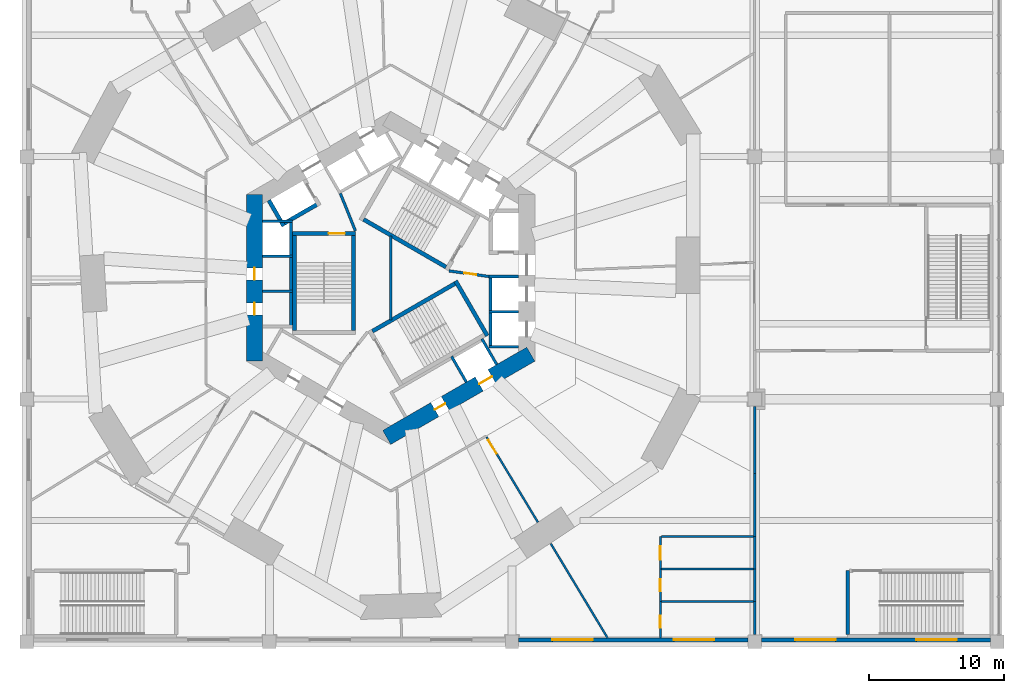
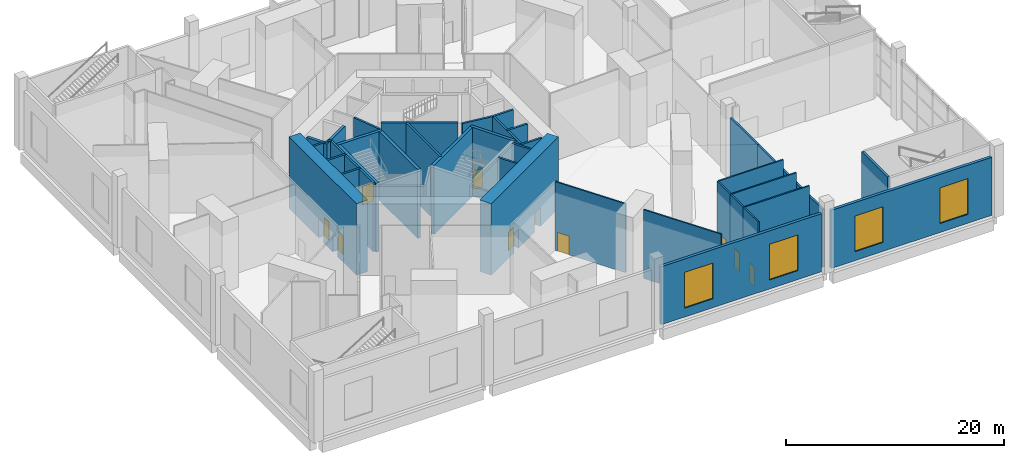
# One storey, part 7 of 15: 39 walls, 10 doors, 4 windows, 14 openings.
"""IFC4 building model written with IfcOpenShell, lengths in metres."""

from ifc_helpers import new_model, si_unit, direction, frame, frame_2d, origin, place, context, subcontext, project, spatial, rectangle, extrude, material, layer, layer_set, type_object, element, fill, save


model = new_model("IFC4")

# Units and contexts
model_context = context("Model", 3, precision=1e-05, world=origin(), true_north=direction((0.0, 1.0)))
body_context = subcontext(model_context, "Body", "Model", "MODEL_VIEW")
ifc_project = project(units=[si_unit("LENGTHUNIT", "METRE"), si_unit("AREAUNIT", "SQUARE_METRE"), si_unit("VOLUMEUNIT", "CUBIC_METRE"), si_unit("PLANEANGLEUNIT", "RADIAN"), si_unit("MASSUNIT", "GRAM", prefix="KILO")], contexts=[model_context])

# Site, building, storey
site_placement = place(None, origin())
site = spatial("IfcSite", under=ifc_project, at=site_placement, CompositionType="ELEMENT")
building_placement = place(site_placement, origin())
building = spatial("IfcBuilding", under=site, at=building_placement, Name="Vanh Sen Convention Tower", CompositionType="ELEMENT")
storey_placement = place(building_placement, frame((0.0, 0.0, 21.0)))
storey = spatial("IfcBuildingStorey", under=building, at=storey_placement, Name="L03", CompositionType="ELEMENT", Elevation=21.0)

# Wall
ifc_material_1 = material(Name="Concrete C40/50", Category="concrete")
ifc_layer_1 = layer(ifc_material_1, 0.25)
ifc_layer_set_1 = layer_set([ifc_layer_1], Name="Concrete C40/50")
wall_type_1 = type_object("IfcWallType", Name="Concrete wall 250 REI 180", PredefinedType="SOLIDWALL", material=ifc_layer_set_1)
wall_1_placement = place(storey_placement, frame((33.89990234375, -26.43994140625, 0.0), z_axis=(0.0, 0.0, 1.0), x_axis=(0.0, 1.0, 0.0)))
element("IfcWall", 1, at=wall_1_placement, inside=storey, type_object=wall_type_1, Name="Fire-resisting wall L03-004", PredefinedType="SOLIDWALL", context=body_context, shape_type="SweptSolid", body=[
    extrude(rectangle(XDim=4.71484375, YDim=0.25, at=frame_2d((2.357421875, 0.0))), origin(), (0.0, 0.0, 1.0), 7.699951171875),
])

# Wall, openings, doors
ifc_material_2 = material(Name="Concrete C80/95", Category="concrete")
ifc_layer_2 = layer(ifc_material_2, 1.199951171875)
ifc_layer_set_2 = layer_set([ifc_layer_2], Name="Concrete C80/95")
wall_type_2 = type_object("IfcWallType", Name="Core outer wall 1200 C80/95", PredefinedType="SHEAR", material=ifc_layer_set_2)
wall_2_placement = place(storey_placement, frame((-10.10009765625, 6.177490234375, 0.0), z_axis=(0.0, 0.0, 1.0), x_axis=(0.0, -1.0, 0.0)))
wall_2 = element("IfcWall", 2, at=wall_2_placement, inside=storey, type_object=wall_type_2, Name="Core wall face W L03", PredefinedType="SHEAR", context=body_context, shape_type="SweptSolid", body=[
    extrude(rectangle(XDim=12.35498046875, YDim=1.199951171875, at=frame_2d((6.177490234375, 0.0))), origin(), (0.0, 0.0, 1.0), 8.0),
])
opening_1_placement = place(wall_2_placement, frame((5.427490234375, 0.0, 0.0)))
opening_1 = element("IfcOpeningElement", 3, at=opening_1_placement, cuts=wall_2, Name="Opening D03009", PredefinedType="OPENING", context=body_context, shape_type="SweptSolid", body=[
    extrude(rectangle(XDim=0.89990234375, YDim=2.10009765625, at=frame_2d((0.449951171875, 1.050048828125))), frame((0.0, 0.60986328125, 0.0), z_axis=(0.0, -1.0, 0.0), x_axis=(1.0, 0.0, 0.0)), (0.0, 0.0, 1.0), 1.219970703125),
])
opening_2_placement = place(wall_2_placement, frame((8.027587890625, 0.0, 0.0)))
opening_2 = element("IfcOpeningElement", 4, at=opening_2_placement, cuts=wall_2, Name="Opening D03010", PredefinedType="OPENING", context=body_context, shape_type="SweptSolid", body=[
    extrude(rectangle(XDim=0.89990234375, YDim=2.10009765625, at=frame_2d((0.449951171875, 1.050048828125))), frame((0.0, 0.60986328125, 0.0), z_axis=(0.0, -1.0, 0.0), x_axis=(1.0, 0.0, 0.0)), (0.0, 0.0, 1.0), 1.219970703125),
])
ifc_material_3 = material(Name="Steel S355", Category="steel")
door_type_1 = type_object("IfcDoorType", Name="Plant door 900", OperationType="SINGLE_SWING_LEFT", PredefinedType="DOOR", material=ifc_material_3)
door_1_placement = place(opening_1_placement, origin())
door_1 = element("IfcDoor", 5, at=door_1_placement, inside=storey, type_object=door_type_1, Name="Plant door D03009", OperationType="SINGLE_SWING_LEFT", OverallHeight=2.10009765625, OverallWidth=0.89990234375, PredefinedType="DOOR", context=body_context, shape_type="SweptSolid", body=[
    extrude(rectangle(XDim=0.89990234375, YDim=2.10009765625, at=frame_2d((0.449951171875, 1.050048828125))), frame((0.0, 0.02490234375, 0.0), z_axis=(0.0, -1.0, 0.0), x_axis=(1.0, 0.0, 0.0)), (0.0, 0.0, 1.0), 0.050048828125),
])
fill(opening_1, door_1)
door_2_placement = place(opening_2_placement, origin())
door_2 = element("IfcDoor", 6, at=door_2_placement, inside=storey, type_object=door_type_1, Name="Plant door D03010", OperationType="SINGLE_SWING_LEFT", OverallHeight=2.10009765625, OverallWidth=0.89990234375, PredefinedType="DOOR", context=body_context, shape_type="SweptSolid", body=[
    extrude(rectangle(XDim=0.89990234375, YDim=2.10009765625, at=frame_2d((0.449951171875, 1.050048828125))), frame((0.0, 0.02490234375, 0.0), z_axis=(0.0, -1.0, 0.0), x_axis=(1.0, 0.0, 0.0)), (0.0, 0.0, 1.0), 0.050048828125),
])
fill(opening_2, door_2)

wall_3_placement = place(storey_placement, frame((-0.300048828125, -11.835693359375, 0.0), z_axis=(0.0, 0.0, 1.0), x_axis=(0.866021384402, 0.500006961711, 0.0)))
wall_3 = element("IfcWall", 7, at=wall_3_placement, inside=storey, type_object=wall_type_2, Name="Core wall face SE L03", PredefinedType="SHEAR", context=body_context, shape_type="SweptSolid", body=[
    extrude(rectangle(XDim=12.355224609375, YDim=1.199951171875, at=frame_2d((6.177734375, 0.0))), origin(), (0.0, 0.0, 1.0), 8.0),
])
opening_3_placement = place(wall_3_placement, frame((4.127685546875, 0.0, 0.0)))
opening_3 = element("IfcOpeningElement", 8, at=opening_3_placement, cuts=wall_3, Name="Opening D03012", PredefinedType="OPENING", context=body_context, shape_type="SweptSolid", body=[
    extrude(rectangle(XDim=0.89990234375, YDim=2.10009765625, at=frame_2d((0.449951171875, 1.050048828125))), frame((0.0, 0.60986328125, 0.0), z_axis=(0.0, -1.0, 0.0), x_axis=(1.0, 0.0, 0.0)), (0.0, 0.0, 1.0), 1.219970703125),
])
opening_4_placement = place(wall_3_placement, frame((7.927734375, 0.0, 0.0)))
opening_4 = element("IfcOpeningElement", 9, at=opening_4_placement, cuts=wall_3, Name="Opening LD-SV1", PredefinedType="OPENING", context=body_context, shape_type="SweptSolid", body=[
    extrude(rectangle(XDim=1.10009765625, YDim=2.10009765625, at=frame_2d((0.550048828125, 1.050048828125))), frame((0.0, 0.60986328125, 0.0), z_axis=(0.0, -1.0, 0.0), x_axis=(1.0, 0.0, 0.0)), (0.0, 0.0, 1.0), 1.219970703125),
])
ifc_material_4 = material(Name="Stainless steel", Category="steel")
door_type_2 = type_object("IfcDoorType", Name="Lift landing door 1100", OperationType="DOUBLE_DOOR_SLIDING", PredefinedType="DOOR", material=ifc_material_4)
door_3_placement = place(opening_4_placement, origin())
door_3 = element("IfcDoor", 10, at=door_3_placement, inside=storey, type_object=door_type_2, Name="Lift SV1 landing door LD-SV1", OperationType="DOUBLE_DOOR_SLIDING", OverallHeight=2.10009765625, OverallWidth=1.10009765625, PredefinedType="DOOR", context=body_context, shape_type="SweptSolid", body=[
    extrude(rectangle(XDim=1.10009765625, YDim=2.10009765625, at=frame_2d((0.550048828125, 1.050048828125))), frame((0.0, 0.02490234375, 0.0), z_axis=(0.0, -1.0, 0.0), x_axis=(1.0, 0.0, 0.0)), (0.0, 0.0, 1.0), 0.050048828125),
])
fill(opening_4, door_3)
door_4_placement = place(opening_3_placement, origin())
door_4 = element("IfcDoor", 11, at=door_4_placement, inside=storey, type_object=door_type_1, Name="Plant door D03012", OperationType="SINGLE_SWING_LEFT", OverallHeight=2.10009765625, OverallWidth=0.89990234375, PredefinedType="DOOR", context=body_context, shape_type="SweptSolid", body=[
    extrude(rectangle(XDim=0.89990234375, YDim=2.10009765625, at=frame_2d((0.449951171875, 1.050048828125))), frame((0.0, 0.02490234375, 0.0), z_axis=(0.0, -1.0, 0.0), x_axis=(1.0, 0.0, 0.0)), (0.0, 0.0, 1.0), 0.050048828125),
])
fill(opening_3, door_4)

# Walls
ifc_material_5 = material(Name="Masonry blockwork", Category="masonry")
ifc_layer_3 = layer(ifc_material_5, 0.199951171875)
ifc_layer_set_3 = layer_set([ifc_layer_3], Name="Masonry blockwork")
wall_type_3 = type_object("IfcWallType", Name="Core partition 200", PredefinedType="PARTITIONING", material=ifc_layer_set_3)
wall_4_placement = place(storey_placement, frame((0.0, -3.122314453125, 0.0), z_axis=(0.0, 0.0, 1.0), x_axis=(0.0, 1.0, 0.0)))
element("IfcWall", 12, at=wall_4_placement, inside=storey, type_object=wall_type_3, Name="Core partition L03", PredefinedType="PARTITIONING", context=body_context, shape_type="SweptSolid", body=[
    extrude(rectangle(XDim=6.24462890625, YDim=0.199951171875, at=frame_2d((3.122314453125, 0.0))), origin(), (0.0, 0.0, 1.0), 7.699951171875),
])
ifc_material_6 = material(Name="Concrete C60/75", Category="concrete")
ifc_layer_4 = layer(ifc_material_6, 0.300048828125)
ifc_layer_set_4 = layer_set([ifc_layer_4], Name="Concrete C60/75")
wall_type_4 = type_object("IfcWallType", Name="Fire-fighting lift shaft wall 300", PredefinedType="SHEAR", material=ifc_layer_set_4)
wall_5_placement = place(storey_placement, frame((-5.240478515625, 5.576904296875, 0.0), z_axis=(0.0, 0.0, 1.0), x_axis=(-0.866014461049, -0.500018952895, 0.0)))
element("IfcWall", 13, at=wall_5_placement, inside=storey, type_object=wall_type_4, Name="Fire-fighting lift shaft wall L03", PredefinedType="SHEAR", context=body_context, shape_type="SweptSolid", body=[
    extrude(rectangle(XDim=3.349853515625, YDim=0.300048828125, at=frame_2d((1.6748046875, 0.0))), origin(), (0.0, 0.0, 1.0), 7.699951171875),
])
wall_6_placement = place(storey_placement, frame((-7.936767578125, 3.846923828125, 0.0), z_axis=(0.0, 0.0, 1.0), x_axis=(-0.50002983664, 0.866008176907, 0.0)))
element("IfcWall", 14, at=wall_6_placement, inside=storey, type_object=wall_type_4, Name="Fire-fighting lift shaft wall L03", PredefinedType="SHEAR", context=body_context, shape_type="SweptSolid", body=[
    extrude(rectangle(XDim=2.199951171875, YDim=0.300048828125, at=frame_2d((1.10009765625, 0.0))), origin(), (0.0, 0.0, 1.0), 7.699951171875),
])
ifc_layer_5 = layer(ifc_material_1, 0.199951171875)
ifc_layer_set_5 = layer_set([ifc_layer_5], Name="Concrete C40/50")
wall_type_5 = type_object("IfcWallType", Name="Lift shaft wall 200", PredefinedType="PARTITIONING", material=ifc_layer_set_5)
wall_7_placement = place(storey_placement, frame((7.39990234375, -5.199951171875, 0.0), z_axis=(0.0, 0.0, 1.0), x_axis=(0.0, 1.0, 0.0)))
element("IfcWall", 15, at=wall_7_placement, inside=storey, type_object=wall_type_5, Name="Lift shaft wall L03", PredefinedType="PARTITIONING", context=body_context, shape_type="SweptSolid", body=[
    extrude(rectangle(XDim=5.39990234375, YDim=0.199951171875, at=frame_2d((2.699951171875, 0.0))), origin(), (0.0, 0.0, 1.0), 7.699951171875),
])
for number, where, z_axis, x_axis, name in (
    (16, (7.300048828125, -5.10009765625, 0.0), (0.0, 0.0, 1.0), (1.0, 0.0, 0.0), "Lift shaft wall L03"),
    (17, (7.300048828125, -2.5, 0.0), (0.0, 0.0, 1.0), (1.0, 0.0, 0.0), "Lift shaft wall L03"),
    (18, (7.300048828125, 0.10009765625, 0.0), (0.0, 0.0, 1.0), (1.0, 0.0, 0.0), "Lift shaft wall L03"),
):
    element("IfcWall", number, at=place(storey_placement, frame(where, z_axis=z_axis, x_axis=x_axis)), inside=storey, type_object=wall_type_5, Name=name, PredefinedType="PARTITIONING", context=body_context, shape_type="SweptSolid", body=[
        extrude(rectangle(XDim=2.199951171875, YDim=0.199951171875, at=frame_2d((1.10009765625, 0.0))), origin(), (0.0, 0.0, 1.0), 7.699951171875),
    ])
wall_8_placement = place(storey_placement, frame((-7.39990234375, 4.300048828125, 0.0), z_axis=(0.0, 0.0, 1.0), x_axis=(0.0, -1.0, 0.0)))
element("IfcWall", 19, at=wall_8_placement, inside=storey, type_object=wall_type_5, Name="Lift shaft wall L03", PredefinedType="PARTITIONING", context=body_context, shape_type="SweptSolid", body=[
    extrude(rectangle(XDim=8.0, YDim=0.199951171875, at=frame_2d((4.0, 0.0))), origin(), (0.0, 0.0, 1.0), 7.699951171875),
])
for number, where, z_axis, x_axis, name in (
    (20, (-7.300048828125, 4.199951171875, 0.0), (0.0, 0.0, 1.0), (-1.0, 0.0, 0.0), "Lift shaft wall L03"),
    (21, (-7.300048828125, 1.60009765625, 0.0), (0.0, 0.0, 1.0), (-1.0, 0.0, 0.0), "Lift shaft wall L03"),
    (22, (-7.300048828125, -1.0, 0.0), (0.0, 0.0, 1.0), (-1.0, 0.0, 0.0), "Lift shaft wall L03"),
    (23, (4.51611328125, -5.822021484375, 0.0), (0.0, 0.0, 1.0), (0.499946605688, -0.86605622881, 0.0), "Lift shaft wall L03"),
    (24, (6.767578125, -4.52197265625, 0.0), (0.0, 0.0, 1.0), (0.50002983664, -0.866008176907, 0.0), "Lift shaft wall L03"),
):
    element("IfcWall", number, at=place(storey_placement, frame(where, z_axis=z_axis, x_axis=x_axis)), inside=storey, type_object=wall_type_5, Name=name, PredefinedType="PARTITIONING", context=body_context, shape_type="SweptSolid", body=[
        extrude(rectangle(XDim=2.199951171875, YDim=0.199951171875, at=frame_2d((1.10009765625, 0.0))), origin(), (0.0, 0.0, 1.0), 7.699951171875),
    ])

# Wall, opening, door
ifc_material_7 = material(Name="Gypsum board on steel studs", Category="steel")
ifc_layer_6 = layer(ifc_material_7, 0.14990234375)
ifc_layer_set_6 = layer_set([ifc_layer_6], Name="Gypsum board on steel studs")
wall_type_6 = type_object("IfcWallType", Name="Partition 150", PredefinedType="PARTITIONING", material=ifc_layer_set_6)
wall_9_placement = place(storey_placement, frame((20.0, -26.699951171875, 0.0), z_axis=(0.0, 0.0, 1.0), x_axis=(0.0, 1.0, 0.0)))
wall_9 = element("IfcWall", 25, at=wall_9_placement, inside=storey, type_object=wall_type_6, Name="Partition L03-001", PredefinedType="PARTITIONING", context=body_context, shape_type="SweptSolid", body=[
    extrude(rectangle(XDim=2.699951171875, YDim=0.14990234375, at=frame_2d((1.35009765625, 0.0))), origin(), (0.0, 0.0, 1.0), 7.699951171875),
])
opening_5_placement = place(wall_9_placement, frame((0.75, 0.0, 0.0)))
opening_5 = element("IfcOpeningElement", 26, at=opening_5_placement, cuts=wall_9, Name="Opening D03101", PredefinedType="OPENING", context=body_context, shape_type="SweptSolid", body=[
    extrude(rectangle(XDim=0.89990234375, YDim=2.10009765625, at=frame_2d((0.449951171875, 1.050048828125))), frame((0.0, 0.0849609375, 0.0), z_axis=(0.0, -1.0, 0.0), x_axis=(1.0, 0.0, 0.0)), (0.0, 0.0, 1.0), 0.169921875),
])
ifc_material_8 = material(Name="Timber door in steel frame", Category="steel")
door_type_3 = type_object("IfcDoorType", Name="Room door 900", OperationType="SINGLE_SWING_LEFT", PredefinedType="DOOR", material=ifc_material_8)
door_5_placement = place(opening_5_placement, origin())
door_5 = element("IfcDoor", 27, at=door_5_placement, inside=storey, type_object=door_type_3, Name="Room door D03101", OperationType="SINGLE_SWING_LEFT", OverallHeight=2.10009765625, OverallWidth=0.89990234375, PredefinedType="DOOR", context=body_context, shape_type="SweptSolid", body=[
    extrude(rectangle(XDim=0.89990234375, YDim=2.10009765625, at=frame_2d((0.449951171875, 1.050048828125))), frame((0.0, 0.02490234375, 0.0), z_axis=(0.0, -1.0, 0.0), x_axis=(1.0, 0.0, 0.0)), (0.0, 0.0, 1.0), 0.050048828125),
])
fill(opening_5, door_5)

wall_10_placement = place(storey_placement, frame((20.0, -24.0, 0.0), z_axis=(0.0, 0.0, 1.0), x_axis=(0.0, 1.0, 0.0)))
wall_10 = element("IfcWall", 28, at=wall_10_placement, inside=storey, type_object=wall_type_6, Name="Partition L03-006", PredefinedType="PARTITIONING", context=body_context, shape_type="SweptSolid", body=[
    extrude(rectangle(XDim=2.39990234375, YDim=0.14990234375, at=frame_2d((1.199951171875, 0.0))), origin(), (0.0, 0.0, 1.0), 7.699951171875),
])
opening_6_placement = place(wall_10_placement, frame((0.75, 0.0, 0.0)))
opening_6 = element("IfcOpeningElement", 29, at=opening_6_placement, cuts=wall_10, Name="Opening D03102", PredefinedType="OPENING", context=body_context, shape_type="SweptSolid", body=[
    extrude(rectangle(XDim=0.89990234375, YDim=2.10009765625, at=frame_2d((0.449951171875, 1.050048828125))), frame((0.0, 0.0849609375, 0.0), z_axis=(0.0, -1.0, 0.0), x_axis=(1.0, 0.0, 0.0)), (0.0, 0.0, 1.0), 0.169921875),
])
door_6_placement = place(opening_6_placement, origin())
door_6 = element("IfcDoor", 30, at=door_6_placement, inside=storey, type_object=door_type_3, Name="Room door D03102", OperationType="SINGLE_SWING_LEFT", OverallHeight=2.10009765625, OverallWidth=0.89990234375, PredefinedType="DOOR", context=body_context, shape_type="SweptSolid", body=[
    extrude(rectangle(XDim=0.89990234375, YDim=2.10009765625, at=frame_2d((0.449951171875, 1.050048828125))), frame((0.0, 0.02490234375, 0.0), z_axis=(0.0, -1.0, 0.0), x_axis=(1.0, 0.0, 0.0)), (0.0, 0.0, 1.0), 0.050048828125),
])
fill(opening_6, door_6)

# Wall
wall_11_placement = place(storey_placement, frame((20.080078125, -24.0, 0.0), z_axis=(0.0, 0.0, 1.0), x_axis=(1.0, 0.0, 0.0)))
element("IfcWall", 31, at=wall_11_placement, inside=storey, type_object=wall_type_6, Name="Partition L03-007", PredefinedType="PARTITIONING", context=body_context, shape_type="SweptSolid", body=[
    extrude(rectangle(XDim=6.81982421875, YDim=0.14990234375, at=frame_2d((3.409912109375, 0.0))), origin(), (0.0, 0.0, 1.0), 7.699951171875),
])

# Wall, opening, door
wall_12_placement = place(storey_placement, frame((20.0, -21.60009765625, 0.0), z_axis=(0.0, 0.0, 1.0), x_axis=(0.0, 1.0, 0.0)))
wall_12 = element("IfcWall", 32, at=wall_12_placement, inside=storey, type_object=wall_type_6, Name="Partition L03-012", PredefinedType="PARTITIONING", context=body_context, shape_type="SweptSolid", body=[
    extrude(rectangle(XDim=2.400146484375, YDim=0.14990234375, at=frame_2d((1.2001953125, 0.0))), origin(), (0.0, 0.0, 1.0), 7.699951171875),
])
opening_7_placement = place(wall_12_placement, frame((0.699951171875, 0.0, 0.0)))
opening_7 = element("IfcOpeningElement", 33, at=opening_7_placement, cuts=wall_12, Name="Opening D03105", PredefinedType="OPENING", context=body_context, shape_type="SweptSolid", body=[
    extrude(rectangle(XDim=1.0, YDim=2.10009765625, at=frame_2d((0.5, 1.050048828125))), frame((0.0, 0.0849609375, 0.0), z_axis=(0.0, -1.0, 0.0), x_axis=(1.0, 0.0, 0.0)), (0.0, 0.0, 1.0), 0.169921875),
])
door_type_4 = type_object("IfcDoorType", Name="Room door 1000", OperationType="SINGLE_SWING_LEFT", PredefinedType="DOOR", material=ifc_material_8)
door_7_placement = place(opening_7_placement, origin())
door_7 = element("IfcDoor", 34, at=door_7_placement, inside=storey, type_object=door_type_4, Name="Room door D03105", OperationType="SINGLE_SWING_LEFT", OverallHeight=2.10009765625, OverallWidth=1.0, PredefinedType="DOOR", context=body_context, shape_type="SweptSolid", body=[
    extrude(rectangle(XDim=1.0, YDim=2.10009765625, at=frame_2d((0.5, 1.050048828125))), frame((0.0, 0.02490234375, 0.0), z_axis=(0.0, -1.0, 0.0), x_axis=(1.0, 0.0, 0.0)), (0.0, 0.0, 1.0), 0.050048828125),
])
fill(opening_7, door_7)

# Walls
for number, where, z_axis, x_axis, name in (
    (35, (20.080078125, -21.60009765625, 0.0), (0.0, 0.0, 1.0), (1.0, 0.0, 0.0), "Partition L03-013"),
    (36, (20.080078125, -19.199951171875, 0.0), (0.0, 0.0, 1.0), (1.0, 0.0, 0.0), "Partition L03-018"),
):
    element("IfcWall", number, at=place(storey_placement, frame(where, z_axis=z_axis, x_axis=x_axis)), inside=storey, type_object=wall_type_6, Name=name, PredefinedType="PARTITIONING", context=body_context, shape_type="SweptSolid", body=[
        extrude(rectangle(XDim=6.81982421875, YDim=0.14990234375, at=frame_2d((3.409912109375, 0.0))), origin(), (0.0, 0.0, 1.0), 7.699951171875),
    ])
ifc_layer_7 = layer(ifc_material_7, 0.14990234375)
ifc_layer_set_7 = layer_set([ifc_layer_7], Name="Gypsum board on steel studs")
wall_type_7 = type_object("IfcWallType", Name="Partition 150 EI 60", PredefinedType="PARTITIONING", material=ifc_layer_set_7)
wall_13_placement = place(storey_placement, frame((11.87939453125, -19.719482421875, 0.0), z_axis=(0.0, 0.0, 1.0), x_axis=(0.516054476578, -0.856555764212, 0.0)))
element("IfcWall", 37, at=wall_13_placement, inside=storey, type_object=wall_type_7, Name="Partition L03-017", PredefinedType="PARTITIONING", context=body_context, shape_type="SweptSolid", body=[
    extrude(rectangle(XDim=8.1494140625, YDim=0.14990234375, at=frame_2d((4.07470703125, 0.0))), origin(), (0.0, 0.0, 1.0), 7.699951171875),
])

# Wall, opening, door
wall_14_placement = place(storey_placement, frame((10.923583984375, -18.1328125, 0.0), z_axis=(0.0, 0.0, 1.0), x_axis=(-0.516035715917, 0.856567066784, 0.0)))
wall_14 = element("IfcWall", 38, at=wall_14_placement, inside=storey, type_object=wall_type_7, Name="Partition L03-021", PredefinedType="PARTITIONING", context=body_context, shape_type="SweptSolid", body=[
    extrude(rectangle(XDim=7.38671875, YDim=0.14990234375, at=frame_2d((3.693359375, 0.0))), origin(), (0.0, 0.0, 1.0), 7.699951171875),
])
opening_8_placement = place(wall_14_placement, frame((5.936767578125, 0.0, 0.0)))
opening_8 = element("IfcOpeningElement", 39, at=opening_8_placement, cuts=wall_14, Name="Opening D03106", PredefinedType="OPENING", context=body_context, shape_type="SweptSolid", body=[
    extrude(rectangle(XDim=1.199951171875, YDim=2.10009765625, at=frame_2d((0.60009765625, 1.050048828125))), frame((0.0, 0.0849609375, 0.0), z_axis=(0.0, -1.0, 0.0), x_axis=(1.0, 0.0, 0.0)), (0.0, 0.0, 1.0), 0.169921875),
])
door_type_5 = type_object("IfcDoorType", Name="Room door 1200 EI 30", OperationType="SINGLE_SWING_LEFT", PredefinedType="DOOR", material=ifc_material_8)
door_8_placement = place(opening_8_placement, origin())
door_8 = element("IfcDoor", 40, at=door_8_placement, inside=storey, type_object=door_type_5, Name="Room door D03106", OperationType="SINGLE_SWING_LEFT", OverallHeight=2.10009765625, OverallWidth=1.199951171875, PredefinedType="DOOR", context=body_context, shape_type="SweptSolid", body=[
    extrude(rectangle(XDim=1.199951171875, YDim=2.10009765625, at=frame_2d((0.60009765625, 1.050048828125))), frame((0.0, 0.02490234375, 0.0), z_axis=(0.0, -1.0, 0.0), x_axis=(1.0, 0.0, 0.0)), (0.0, 0.0, 1.0), 0.050048828125),
])
fill(opening_8, door_8)

# Walls
ifc_material_9 = material(Name="Concrete C20/25", Category="concrete")
ifc_layer_8 = layer(ifc_material_9, 0.199951171875)
ifc_layer_set_8 = layer_set([ifc_layer_8], Name="Concrete C20/25")
wall_type_8 = type_object("IfcWallType", Name="Partition 200 EI 120", PredefinedType="PARTITIONING", material=ifc_layer_set_8)
wall_15_placement = place(storey_placement, frame((27.0, -26.449951171875, 0.0), z_axis=(0.0, 0.0, 1.0), x_axis=(0.0, 1.0, 0.0)))
element("IfcWall", 41, at=wall_15_placement, inside=storey, type_object=wall_type_8, Name="Partition L03-002", PredefinedType="PARTITIONING", context=body_context, shape_type="SweptSolid", body=[
    extrude(rectangle(XDim=2.449951171875, YDim=0.199951171875, at=frame_2d((1.22509765625, 0.0))), origin(), (0.0, 0.0, 1.0), 6.5),
])
wall_16_placement = place(storey_placement, frame((27.0, -24.0, 0.0), z_axis=(0.0, 0.0, 1.0), x_axis=(0.0, 1.0, 0.0)))
element("IfcWall", 42, at=wall_16_placement, inside=storey, type_object=wall_type_8, Name="Partition L03-008", PredefinedType="PARTITIONING", context=body_context, shape_type="SweptSolid", body=[
    extrude(rectangle(XDim=2.39990234375, YDim=0.199951171875, at=frame_2d((1.199951171875, 0.0))), origin(), (0.0, 0.0, 1.0), 6.5),
])
wall_17_placement = place(storey_placement, frame((27.0, -21.60009765625, 0.0), z_axis=(0.0, 0.0, 1.0), x_axis=(0.0, 1.0, 0.0)))
element("IfcWall", 43, at=wall_17_placement, inside=storey, type_object=wall_type_8, Name="Partition L03-014", PredefinedType="PARTITIONING", context=body_context, shape_type="SweptSolid", body=[
    extrude(rectangle(XDim=2.400146484375, YDim=0.199951171875, at=frame_2d((1.2001953125, 0.0))), origin(), (0.0, 0.0, 1.0), 6.5),
])
wall_18_placement = place(storey_placement, frame((27.0, -19.199951171875, 0.0), z_axis=(0.0, 0.0, 1.0), x_axis=(0.0, 1.0, 0.0)))
element("IfcWall", 44, at=wall_18_placement, inside=storey, type_object=wall_type_8, Name="Partition L03-019", PredefinedType="PARTITIONING", context=body_context, shape_type="SweptSolid", body=[
    extrude(rectangle(XDim=4.6923828125, YDim=0.199951171875, at=frame_2d((2.34619140625, 0.0))), origin(), (0.0, 0.0, 1.0), 6.5),
])
wall_19_placement = place(storey_placement, frame((27.0, -14.507568359375, 0.0), z_axis=(0.0, 0.0, 1.0), x_axis=(0.0, 1.0, 0.0)))
element("IfcWall", 45, at=wall_19_placement, inside=storey, type_object=wall_type_8, Name="Partition L03-031", PredefinedType="PARTITIONING", context=body_context, shape_type="SweptSolid", body=[
    extrude(rectangle(XDim=4.95751953125, YDim=0.199951171875, at=frame_2d((2.478759765625, 0.0))), origin(), (0.0, 0.0, 1.0), 6.5),
])

# Wall, openings, windows
ifc_material_10 = material(Name="Concrete C50/60", Category="concrete")
ifc_layer_9 = layer(ifc_material_10, 0.300048828125)
ifc_layer_set_9 = layer_set([ifc_layer_9], Name="Concrete C50/60")
wall_type_9 = type_object("IfcWallType", Name="Podium wall 300", PredefinedType="STANDARD", material=ifc_layer_set_9)
wall_20_placement = place(storey_placement, frame((9.5, -26.85009765625, 0.0), z_axis=(0.0, 0.0, 1.0), x_axis=(1.0, 0.0, 0.0)))
wall_20 = element("IfcWall", 46, at=wall_20_placement, inside=storey, type_object=wall_type_9, Name="Podium wall S3 L03", PredefinedType="STANDARD", context=body_context, shape_type="SweptSolid", body=[
    extrude(rectangle(XDim=17.0, YDim=0.300048828125, at=frame_2d((8.5, 0.0))), origin(), (0.0, 0.0, 1.0), 6.5),
])
opening_9_placement = place(wall_20_placement, frame((2.5, 0.0, 1.0)))
opening_9 = element("IfcOpeningElement", 47, at=opening_9_placement, cuts=wall_20, Name="Opening WP3-S5", PredefinedType="OPENING", context=body_context, shape_type="SweptSolid", body=[
    extrude(rectangle(XDim=3.0, YDim=4.0, at=frame_2d((1.5, 2.0))), frame((0.0, 0.159912109375, 0.0), z_axis=(0.0, -1.0, 0.0), x_axis=(1.0, 0.0, 0.0)), (0.0, 0.0, 1.0), 0.320068359375),
])
opening_10_placement = place(wall_20_placement, frame((11.5, 0.0, 1.0)))
opening_10 = element("IfcOpeningElement", 48, at=opening_10_placement, cuts=wall_20, Name="Opening WP3-S6", PredefinedType="OPENING", context=body_context, shape_type="SweptSolid", body=[
    extrude(rectangle(XDim=3.0, YDim=4.0, at=frame_2d((1.5, 2.0))), frame((0.0, 0.159912109375, 0.0), z_axis=(0.0, -1.0, 0.0), x_axis=(1.0, 0.0, 0.0)), (0.0, 0.0, 1.0), 0.320068359375),
])
ifc_material_11 = material(Name="Aluminium frame with clear low-emissivity glass", Category="aluminium")
window_type = type_object("IfcWindowType", Name="Podium window 3000 x 4000", PartitioningType="SINGLE_PANEL", PredefinedType="WINDOW", material=ifc_material_11)
window_1_placement = place(opening_9_placement, origin())
window_1 = element("IfcWindow", 49, at=window_1_placement, inside=storey, type_object=window_type, Name="Window WP3-S5", OverallHeight=4.0, OverallWidth=3.0, PartitioningType="SINGLE_PANEL", PredefinedType="WINDOW", context=body_context, shape_type="SweptSolid", body=[
    extrude(rectangle(XDim=3.0, YDim=4.0, at=frame_2d((1.5, 2.0))), frame((0.0, 0.030029296875, 0.0), z_axis=(0.0, -1.0, 0.0), x_axis=(1.0, 0.0, 0.0)), (0.0, 0.0, 1.0), 0.06005859375),
])
fill(opening_9, window_1)
window_2_placement = place(opening_10_placement, origin())
window_2 = element("IfcWindow", 50, at=window_2_placement, inside=storey, type_object=window_type, Name="Window WP3-S6", OverallHeight=4.0, OverallWidth=3.0, PartitioningType="SINGLE_PANEL", PredefinedType="WINDOW", context=body_context, shape_type="SweptSolid", body=[
    extrude(rectangle(XDim=3.0, YDim=4.0, at=frame_2d((1.5, 2.0))), frame((0.0, 0.030029296875, 0.0), z_axis=(0.0, -1.0, 0.0), x_axis=(1.0, 0.0, 0.0)), (0.0, 0.0, 1.0), 0.06005859375),
])
fill(opening_10, window_2)

wall_21_placement = place(storey_placement, frame((27.5, -26.85009765625, 0.0), z_axis=(0.0, 0.0, 1.0), x_axis=(1.0, 0.0, 0.0)))
wall_21 = element("IfcWall", 51, at=wall_21_placement, inside=storey, type_object=wall_type_9, Name="Podium wall S4 L03", PredefinedType="STANDARD", context=body_context, shape_type="SweptSolid", body=[
    extrude(rectangle(XDim=17.0, YDim=0.300048828125, at=frame_2d((8.5, 0.0))), origin(), (0.0, 0.0, 1.0), 6.5),
])
opening_11_placement = place(wall_21_placement, frame((2.5, 0.0, 1.0)))
opening_11 = element("IfcOpeningElement", 52, at=opening_11_placement, cuts=wall_21, Name="Opening WP3-S7", PredefinedType="OPENING", context=body_context, shape_type="SweptSolid", body=[
    extrude(rectangle(XDim=3.0, YDim=4.0, at=frame_2d((1.5, 2.0))), frame((0.0, 0.159912109375, 0.0), z_axis=(0.0, -1.0, 0.0), x_axis=(1.0, 0.0, 0.0)), (0.0, 0.0, 1.0), 0.320068359375),
])
opening_12_placement = place(wall_21_placement, frame((11.5, 0.0, 1.0)))
opening_12 = element("IfcOpeningElement", 53, at=opening_12_placement, cuts=wall_21, Name="Opening WP3-S8", PredefinedType="OPENING", context=body_context, shape_type="SweptSolid", body=[
    extrude(rectangle(XDim=3.0, YDim=4.0, at=frame_2d((1.5, 2.0))), frame((0.0, 0.159912109375, 0.0), z_axis=(0.0, -1.0, 0.0), x_axis=(1.0, 0.0, 0.0)), (0.0, 0.0, 1.0), 0.320068359375),
])
window_3_placement = place(opening_11_placement, origin())
window_3 = element("IfcWindow", 54, at=window_3_placement, inside=storey, type_object=window_type, Name="Window WP3-S7", OverallHeight=4.0, OverallWidth=3.0, PartitioningType="SINGLE_PANEL", PredefinedType="WINDOW", context=body_context, shape_type="SweptSolid", body=[
    extrude(rectangle(XDim=3.0, YDim=4.0, at=frame_2d((1.5, 2.0))), frame((0.0, 0.030029296875, 0.0), z_axis=(0.0, -1.0, 0.0), x_axis=(1.0, 0.0, 0.0)), (0.0, 0.0, 1.0), 0.06005859375),
])
fill(opening_11, window_3)
window_4_placement = place(opening_12_placement, origin())
window_4 = element("IfcWindow", 55, at=window_4_placement, inside=storey, type_object=window_type, Name="Window WP3-S8", OverallHeight=4.0, OverallWidth=3.0, PartitioningType="SINGLE_PANEL", PredefinedType="WINDOW", context=body_context, shape_type="SweptSolid", body=[
    extrude(rectangle(XDim=3.0, YDim=4.0, at=frame_2d((1.5, 2.0))), frame((0.0, 0.030029296875, 0.0), z_axis=(0.0, -1.0, 0.0), x_axis=(1.0, 0.0, 0.0)), (0.0, 0.0, 1.0), 0.06005859375),
])
fill(opening_12, window_4)

# Wall, opening, door
ifc_layer_10 = layer(ifc_material_1, 0.199951171875)
ifc_layer_set_10 = layer_set([ifc_layer_10], Name="Concrete C40/50")
wall_type_10 = type_object("IfcWallType", Name="Stair lobby wall 200", PredefinedType="PARTITIONING", material=ifc_layer_set_10)
wall_22_placement = place(storey_placement, frame((4.327392578125, 0.52099609375, 0.0), z_axis=(0.0, 0.0, 1.0), x_axis=(0.990124376366, -0.14019172346, 0.0)))
wall_22 = element("IfcWall", 56, at=wall_22_placement, inside=storey, type_object=wall_type_10, Name="Stair lobby wall L03", PredefinedType="PARTITIONING", context=body_context, shape_type="SweptSolid", body=[
    extrude(rectangle(XDim=3.002197265625, YDim=0.199951171875, at=frame_2d((1.5009765625, 0.0))), origin(), (0.0, 0.0, 1.0), 7.699951171875),
])
opening_13_placement = place(wall_22_placement, frame((1.14990234375, 0.0, 0.0)))
opening_13 = element("IfcOpeningElement", 57, at=opening_13_placement, cuts=wall_22, Name="Opening D03007", PredefinedType="OPENING", context=body_context, shape_type="SweptSolid", body=[
    extrude(rectangle(XDim=0.89990234375, YDim=2.10009765625, at=frame_2d((0.449951171875, 1.050048828125))), frame((0.0, 0.10986328125, 0.0), z_axis=(0.0, -1.0, 0.0), x_axis=(1.0, 0.0, 0.0)), (0.0, 0.0, 1.0), 0.219970703125),
])
door_9_placement = place(opening_13_placement, origin())
door_9 = element("IfcDoor", 58, at=door_9_placement, inside=storey, type_object=door_type_1, Name="Plant door D03007", OperationType="SINGLE_SWING_LEFT", OverallHeight=2.10009765625, OverallWidth=0.89990234375, PredefinedType="DOOR", context=body_context, shape_type="SweptSolid", body=[
    extrude(rectangle(XDim=0.89990234375, YDim=2.10009765625, at=frame_2d((0.449951171875, 1.050048828125))), frame((0.0, 0.02490234375, 0.0), z_axis=(0.0, -1.0, 0.0), x_axis=(1.0, 0.0, 0.0)), (0.0, 0.0, 1.0), 0.050048828125),
])
fill(opening_13, door_9)

# Walls
wall_23_placement = place(storey_placement, frame((-2.614990234375, 3.487060546875, 0.0), z_axis=(0.0, 0.0, 1.0), x_axis=(-0.373576831041, 0.92759924068, 0.0)))
element("IfcWall", 59, at=wall_23_placement, inside=storey, type_object=wall_type_10, Name="Stair lobby wall L03", PredefinedType="PARTITIONING", context=body_context, shape_type="SweptSolid", body=[
    extrude(rectangle(XDim=3.002197265625, YDim=0.199951171875, at=frame_2d((1.5009765625, 0.0))), origin(), (0.0, 0.0, 1.0), 7.699951171875),
])
ifc_layer_11 = layer(ifc_material_6, 0.300048828125)
ifc_layer_set_11 = layer_set([ifc_layer_11], Name="Concrete C60/75")
wall_type_11 = type_object("IfcWallType", Name="Stair wall 300", PredefinedType="SHEAR", material=ifc_layer_set_11)
wall_24_placement = place(storey_placement, frame((4.10302734375, 0.806640625, 0.0), z_axis=(0.0, 0.0, 1.0), x_axis=(-0.866027801685, 0.499995846692, 0.0)))
element("IfcWall", 60, at=wall_24_placement, inside=storey, type_object=wall_type_11, Name="Stair wall L03", PredefinedType="SHEAR", context=body_context, shape_type="SweptSolid", body=[
    extrude(rectangle(XDim=7.06005859375, YDim=0.300048828125, at=frame_2d((3.530029296875, 0.0))), origin(), (0.0, 0.0, 1.0), 7.699951171875),
])

# Wall, opening, door
wall_25_placement = place(storey_placement, frame((-2.60009765625, 3.300048828125, 0.0), z_axis=(0.0, 0.0, 1.0), x_axis=(-1.0, 0.0, 0.0)))
wall_25 = element("IfcWall", 61, at=wall_25_placement, inside=storey, type_object=wall_type_11, Name="Stair wall L03", PredefinedType="SHEAR", context=body_context, shape_type="SweptSolid", body=[
    extrude(rectangle(XDim=4.699951171875, YDim=0.300048828125, at=frame_2d((2.35009765625, 0.0))), origin(), (0.0, 0.0, 1.0), 7.699951171875),
])
opening_14_placement = place(wall_25_placement, frame((0.800048828125, 0.0, 0.0)))
opening_14 = element("IfcOpeningElement", 62, at=opening_14_placement, cuts=wall_25, Name="Opening D03005", PredefinedType="OPENING", context=body_context, shape_type="SweptSolid", body=[
    extrude(rectangle(XDim=1.199951171875, YDim=2.10009765625, at=frame_2d((0.60009765625, 1.050048828125))), frame((0.0, 0.159912109375, 0.0), z_axis=(0.0, -1.0, 0.0), x_axis=(1.0, 0.0, 0.0)), (0.0, 0.0, 1.0), 0.320068359375),
])
door_type_6 = type_object("IfcDoorType", Name="Stair door 1200", OperationType="SINGLE_SWING_RIGHT", PredefinedType="DOOR", material=ifc_material_3)
door_10_placement = place(opening_14_placement, origin())
door_10 = element("IfcDoor", 63, at=door_10_placement, inside=storey, type_object=door_type_6, Name="Stair ST2 door D03005", OperationType="SINGLE_SWING_RIGHT", OverallHeight=2.10009765625, OverallWidth=1.199951171875, PredefinedType="DOOR", context=body_context, shape_type="SweptSolid", body=[
    extrude(rectangle(XDim=1.199951171875, YDim=2.10009765625, at=frame_2d((0.60009765625, 1.050048828125))), frame((0.0, 0.02490234375, 0.0), z_axis=(0.0, -1.0, 0.0), x_axis=(1.0, 0.0, 0.0)), (0.0, 0.0, 1.0), 0.050048828125),
])
fill(opening_14, door_10)

# Walls
for number, where, z_axis, x_axis, name in (
    (64, (-2.75, 3.14990234375, 0.0), (0.0, 0.0, 1.0), (0.0, -1.0, 0.0), "Stair wall L03"),
    (65, (-7.14990234375, 3.14990234375, 0.0), (0.0, 0.0, 1.0), (0.0, -1.0, 0.0), "Stair wall L03"),
):
    element("IfcWall", number, at=place(storey_placement, frame(where, z_axis=z_axis, x_axis=x_axis)), inside=storey, type_object=wall_type_11, Name=name, PredefinedType="SHEAR", context=body_context, shape_type="SweptSolid", body=[
        extrude(rectangle(XDim=7.059814453125, YDim=0.300048828125, at=frame_2d((3.52978515625, 0.0))), origin(), (0.0, 0.0, 1.0), 7.699951171875),
    ])
wall_26_placement = place(storey_placement, frame((4.816162109375, -0.2216796875, 0.0), z_axis=(0.0, 0.0, 1.0), x_axis=(0.499977259774, -0.866038532462, 0.0)))
element("IfcWall", 66, at=wall_26_placement, inside=storey, type_object=wall_type_11, Name="Stair wall L03", PredefinedType="SHEAR", context=body_context, shape_type="SweptSolid", body=[
    extrude(rectangle(XDim=4.699951171875, YDim=0.300048828125, at=frame_2d((2.35009765625, 0.0))), origin(), (0.0, 0.0, 1.0), 7.699951171875),
])
wall_27_placement = place(storey_placement, frame((-1.35302734375, -3.95654296875, 0.0), z_axis=(0.0, 0.0, 1.0), x_axis=(0.866027801685, 0.499995846692, 0.0)))
element("IfcWall", 67, at=wall_27_placement, inside=storey, type_object=wall_type_11, Name="Stair wall L03", PredefinedType="SHEAR", context=body_context, shape_type="SweptSolid", body=[
    extrude(rectangle(XDim=7.06005859375, YDim=0.300048828125, at=frame_2d((3.530029296875, 0.0))), origin(), (0.0, 0.0, 1.0), 7.699951171875),
])

save(model, "model.ifc")
